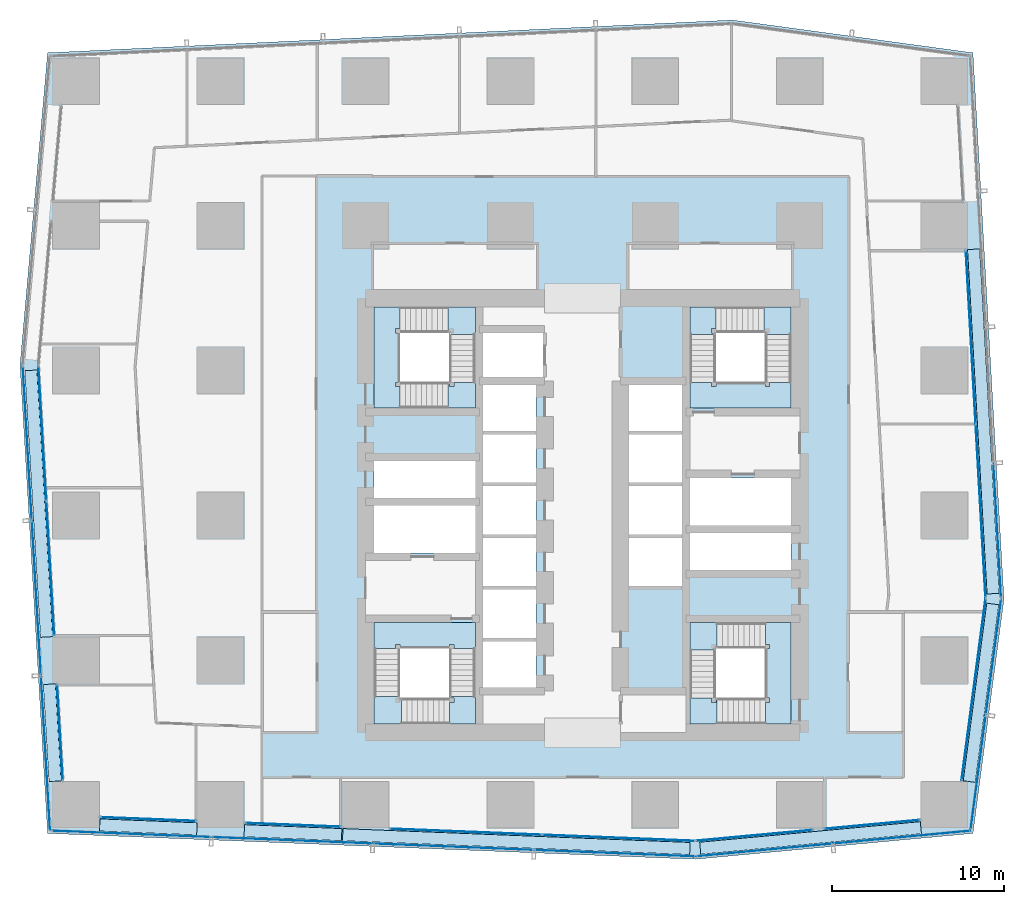
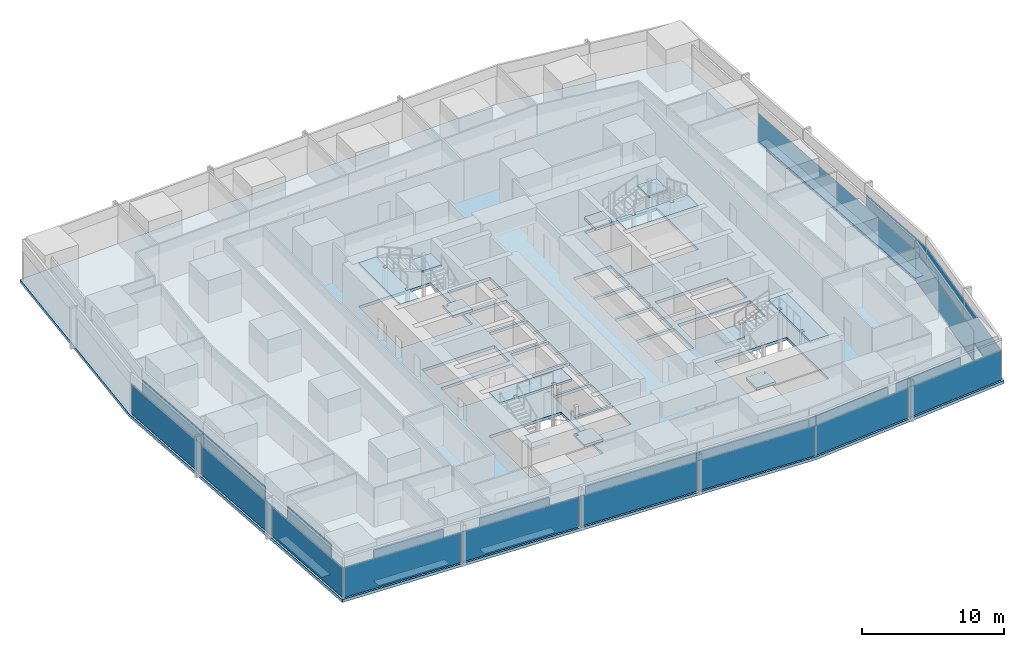
# One storey, part 23 of 36: 32 plates, 13 slabs, 18 elements without a shape of their own.
"""IFC4 building model written with IfcOpenShell, lengths in metres."""

import ifcopenshell
import ifcopenshell.guid

model = None  # the IFC model being written
_history = None  # IfcOwnerHistory: only IFC2X3 demands one
_inside = {}  # id of a spatial element -> (the spatial element, [elements in it])
_under = {}  # id of a project, library or spatial element -> (it, [spatial elements below it])
_declared = {}  # id of a project -> (the project, [libraries it declares])
_typed = {}  # id of a type object -> (the type object, [elements of that type])
_made_of = {}  # id of a material, layer set ... -> (it, [elements and type objects made of it])


def new_model(schema):
    """Start an empty IFC model of exactly this schema.

    Asked for "IFC4X3", IfcOpenShell would pick the latest addendum, in which some entities
    have other attributes; the version numbers below select the first issue.
    IFC2X3 requires an IfcOwnerHistory on every rooted entity: one is made here for all.
    """
    global model, _history
    if schema == "IFC4X3":
        model = ifcopenshell.file(schema_version=(4, 3, 0, 0))
    else:
        model = ifcopenshell.file(schema=schema)
    _inside.clear()
    _under.clear()
    _declared.clear()
    _typed.clear()
    _made_of.clear()
    _history = None
    if model.schema == "IFC2X3":
        org = make("IfcOrganization", Name="unknown")
        user = make(
            "IfcPersonAndOrganization",
            ThePerson=make("IfcPerson", FamilyName="unknown"),
            TheOrganization=org,
        )
        app = make(
            "IfcApplication",
            ApplicationDeveloper=org,
            Version="unknown",
            ApplicationFullName="unknown",
            ApplicationIdentifier="unknown",
        )
        _history = make(
            "IfcOwnerHistory",
            OwningUser=user,
            OwningApplication=app,
            ChangeAction="ADDED",
            CreationDate=0,
        )
    return model


def make(cls, **values):
    """One entity of the class cls with the attributes given. An attribute that is None is left unset."""
    return model.create_entity(
        cls, **{name: value for name, value in values.items() if value is not None}
    )


def rooted(cls, **values):
    """An entity with a GlobalId (a new one), such as an element, a storey or a relation."""
    return make(cls, GlobalId=ifcopenshell.guid.new(), OwnerHistory=_history, **values)


def si_unit(unit_type, name, prefix=None):
    """IfcSIUnit, for example si_unit("LENGTHUNIT", "METRE", prefix="MILLI")."""
    return make("IfcSIUnit", UnitType=unit_type, Prefix=prefix, Name=name)


def assignment(units):
    """IfcUnitAssignment: the units of a project."""
    return None if units is None else make("IfcUnitAssignment", Units=units)


def point(xyz):
    """IfcCartesianPoint."""
    return None if xyz is None else make("IfcCartesianPoint", Coordinates=xyz)


def direction(xyz):
    """IfcDirection."""
    return None if xyz is None else make("IfcDirection", DirectionRatios=xyz)


def frame(location, z_axis=None, x_axis=None):
    """IfcAxis2Placement3D, a coordinate frame: its origin and axes. An axis left out is left unset."""
    return make(
        "IfcAxis2Placement3D",
        Location=point(location),
        Axis=direction(z_axis),
        RefDirection=direction(x_axis),
    )


def frame_2d(location, x_axis=None):
    """IfcAxis2Placement2D, a coordinate frame in the plane: its origin and x axis."""
    return make(
        "IfcAxis2Placement2D", Location=point(location), RefDirection=direction(x_axis)
    )


def origin():
    """The frame at (0, 0, 0) with its axes left unset."""
    return frame((0.0, 0.0, 0.0))


def origin_2d():
    """The frame at (0, 0) in the plane with its x axis left unset."""
    return frame_2d((0.0, 0.0))


def place(relative_to, where):
    """IfcLocalPlacement: puts the frame where relative to a parent placement (None: the world)."""
    return make(
        "IfcLocalPlacement", PlacementRelTo=relative_to, RelativePlacement=where
    )


def context(
    kind, dimensions, precision=None, world=None, true_north=None, identifier=None
):
    """IfcGeometricRepresentationContext, for example the 3D "Model" context."""
    return make(
        "IfcGeometricRepresentationContext",
        ContextIdentifier=identifier,
        ContextType=kind,
        CoordinateSpaceDimension=dimensions,
        Precision=precision,
        WorldCoordinateSystem=world,
        TrueNorth=true_north,
    )


def subcontext(parent, identifier, kind, view, scale=None):
    """IfcGeometricRepresentationSubContext, for example "Body" below "Model"."""
    return make(
        "IfcGeometricRepresentationSubContext",
        ContextIdentifier=identifier,
        ContextType=kind,
        ParentContext=parent,
        TargetScale=scale,
        TargetView=view,
    )


def project(units=None, contexts=None):
    """IfcProject with its units and contexts."""
    return rooted(
        "IfcProject",
        Name="project",
        RepresentationContexts=contexts,
        UnitsInContext=assignment(units),
    )


def spatial(cls, under=None, at=None, **own):
    """A site, building, storey or space (cls), placed at a placement, below another one or the project."""
    s = rooted(cls, ObjectPlacement=at, **own)
    if under is not None:
        _under.setdefault(under.id(), (under, []))[1].append(s)
    return s


def polyline(points):
    """IfcPolyline through the points."""
    return make("IfcPolyline", Points=[point(p) for p in points])


def profile(cls, at=None, kind="AREA", **sizes):
    """A parametric profile (cls). Its sizes go by their IFC names, for example OverallWidth=200.0."""
    return make(cls, ProfileType=kind, Position=at, **sizes)


def rectangle(**sizes):
    """IfcRectangleProfileDef."""
    return profile("IfcRectangleProfileDef", **sizes)


def outline(outer, holes=None, kind="AREA"):
    """IfcArbitraryClosedProfileDef: a profile drawn as a closed curve; with holes, ...WithVoids."""
    if holes is None:
        return make("IfcArbitraryClosedProfileDef", ProfileType=kind, OuterCurve=outer)
    return make(
        "IfcArbitraryProfileDefWithVoids",
        ProfileType=kind,
        OuterCurve=outer,
        InnerCurves=holes,
    )


def extrude(swept, where, along, depth):
    """IfcExtrudedAreaSolid: the profile swept, set in the frame where, extruded along a direction by depth."""
    return make(
        "IfcExtrudedAreaSolid",
        SweptArea=swept,
        Position=where,
        ExtrudedDirection=direction(along),
        Depth=depth,
    )


def shape(context_of_items, identifier, shape_type, items):
    """IfcShapeRepresentation: the items that make up one representation, for example the "Body"."""
    return make(
        "IfcShapeRepresentation",
        ContextOfItems=context_of_items,
        RepresentationIdentifier=identifier,
        RepresentationType=shape_type,
        Items=items,
    )


def material(Name=None, Category=None):
    """IfcMaterial."""
    return make("IfcMaterial", Name=Name, Category=Category)


def layer(
    of_material, thickness, ventilated=None, Name=None, Category=None, Priority=None
):
    """IfcMaterialLayer: one layer of a wall or slab, of a material (None: an air gap)."""
    return make(
        "IfcMaterialLayer",
        Material=of_material,
        LayerThickness=thickness,
        IsVentilated=ventilated,
        Name=Name,
        Category=Category,
        Priority=Priority,
    )


def layer_set(layers, Name=None):
    """IfcMaterialLayerSet."""
    return make("IfcMaterialLayerSet", MaterialLayers=layers, LayerSetName=Name)


def made_of(thing, what):
    """Note that an element or type object is made of a material, layer set ...; save() writes the relation."""
    if what is not None:
        _made_of.setdefault(what.id(), (what, []))[1].append(thing)
    return thing


def type_object(cls, material=None, **own):
    """A type object (cls), such as IfcWallType, which elements share."""
    return made_of(rooted(cls, **own), material)


def element(
    cls,
    number,
    at=None,
    inside=None,
    cuts=None,
    type_object=None,
    material=None,
    context=None,
    identifier="Body",
    shape_type=None,
    held_by="IfcProductDefinitionShape",
    body=None,
    shapes=None,
    **own,
):
    """One element of the class cls, such as IfcWall. Its Tag is "e" and its number.

    at: its placement. inside: the storey or other place that contains it. cuts: it is an
    opening in that element (IfcRelVoidsElement). A single representation is given by context,
    identifier, shape_type and body (its items); several are given by shapes. held_by: the class
    of the entity that holds the representations. save() writes the other relations.
    """
    e = rooted(cls, Tag="e%d" % number, ObjectPlacement=at, **own)
    if body is not None:
        shapes = [shape(context, identifier, shape_type, body)]
    if shapes is not None:
        e.Representation = make(held_by, Representations=shapes)
    if inside is not None:
        _inside.setdefault(inside.id(), (inside, []))[1].append(e)
    if cuts is not None:
        rooted(
            "IfcRelVoidsElement", RelatingBuildingElement=cuts, RelatedOpeningElement=e
        )
    if type_object is not None:
        _typed.setdefault(type_object.id(), (type_object, []))[1].append(e)
    return made_of(e, material)


def aggregate(whole, parts):
    """IfcRelAggregates: a whole, such as a stair, and the parts it consists of."""
    return rooted("IfcRelAggregates", RelatingObject=whole, RelatedObjects=parts)


def save(model, path):
    """Write the relations noted so far, then the file.

    IfcRelAggregates (storeys below a building ...), IfcRelContainedInSpatialStructure (elements
    in a storey), IfcRelDefinesByType, IfcRelAssociatesMaterial and IfcRelDeclares: one each for
    every whole, place, type object, material and project.
    """
    for whole, parts in _under.values():
        aggregate(whole, parts)
    for where, things in _inside.values():
        rooted(
            "IfcRelContainedInSpatialStructure",
            RelatedElements=things,
            RelatingStructure=where,
        )
    for kind, things in _typed.values():
        rooted("IfcRelDefinesByType", RelatedObjects=things, RelatingType=kind)
    for what, things in _made_of.values():
        rooted("IfcRelAssociatesMaterial", RelatedObjects=things, RelatingMaterial=what)
    for by, libraries in _declared.values():
        rooted("IfcRelDeclares", RelatingContext=by, RelatedDefinitions=libraries)
    model.write(path)


model = new_model("IFC4")

# Units and contexts
model_context = context("Model", 3, precision=1e-05, world=origin(), true_north=direction((0.0, 1.0)))
body_context = subcontext(model_context, "Body", "Model", "MODEL_VIEW")
ifc_project = project(units=[si_unit("LENGTHUNIT", "METRE"), si_unit("AREAUNIT", "SQUARE_METRE"), si_unit("VOLUMEUNIT", "CUBIC_METRE"), si_unit("PLANEANGLEUNIT", "RADIAN"), si_unit("MASSUNIT", "GRAM", prefix="KILO")], contexts=[model_context])

# Site, building, storey
site_placement = place(None, origin())
site = spatial("IfcSite", under=ifc_project, at=site_placement, CompositionType="ELEMENT")
building_placement = place(site_placement, origin())
building = spatial("IfcBuilding", under=site, at=building_placement, Name="Rekha Terrace Tower", CompositionType="ELEMENT")
storey_placement = place(building_placement, frame((0.0, 0.0, 172.699951171875)))
storey = spatial("IfcBuildingStorey", under=building, at=storey_placement, Name="L43", CompositionType="ELEMENT", Elevation=172.699951171875)

# Curtain wall, plate
ifc_material_1 = material(Name="Aluminium framing", Category="aluminium")
curtain_wall_type_1 = type_object("IfcCurtainWallType", Name="CW1 double skin inner glazing", PredefinedType="USERDEFINED", material=ifc_material_1)
curtain_wall_1_placement = place(storey_placement, origin())
curtain_wall_1 = element("IfcCurtainWall", 1, at=curtain_wall_1_placement, inside=storey, type_object=curtain_wall_type_1, Name="CW1 double skin inner glazing", ObjectType="DOUBLE SKIN INNER GLAZING", PredefinedType="USERDEFINED")
ifc_material_2 = material(Name="Double-glazed low-e unit 32", Category="glass")
ifc_layer_1 = layer(ifc_material_2, 0.031982421875)
ifc_layer_set_1 = layer_set([ifc_layer_1], Name="Double-glazed low-e unit 32")
plate_type_1 = type_object("IfcPlateType", Name="CW1 jumbo vision panel, double-glazed low-e unit 32", PredefinedType="CURTAIN_PANEL", material=ifc_layer_set_1)
plate_1_placement = place(storey_placement, frame((12.60009765625, 15.977294921875, 0.0), z_axis=(0.0, 0.0, 1.0), x_axis=(0.999204775798, -0.039872497078, 0.0)))
plate_1 = element("IfcPlate", 2, at=plate_1_placement, type_object=plate_type_1, Name="CW1 panel 1.1", PredefinedType="CURTAIN_PANEL", context=body_context, shape_type="SweptSolid", body=[
    extrude(rectangle(XDim=5.52685546875, YDim=0.031982421875, at=origin_2d()), origin(), (0.0, 0.0, 1.0), 2.60009765625),
])
aggregate(curtain_wall_1, [plate_1])

curtain_wall_2_placement = place(storey_placement, origin())
curtain_wall_2 = element("IfcCurtainWall", 3, at=curtain_wall_2_placement, inside=storey, type_object=curtain_wall_type_1, Name="CW1 double skin inner glazing", ObjectType="DOUBLE SKIN INNER GLAZING", PredefinedType="USERDEFINED")
plate_2_placement = place(storey_placement, frame((21.0, 15.64208984375, 0.0), z_axis=(0.0, 0.0, 1.0), x_axis=(0.999204775798, -0.039872497078, 0.0)))
plate_2 = element("IfcPlate", 4, at=plate_2_placement, type_object=plate_type_1, Name="CW1 panel 1.1", PredefinedType="CURTAIN_PANEL", context=body_context, shape_type="SweptSolid", body=[
    extrude(rectangle(XDim=5.52685546875, YDim=0.031982421875, at=origin_2d()), origin(), (0.0, 0.0, 1.0), 2.60009765625),
])
aggregate(curtain_wall_2, [plate_2])

# Curtain wall, plates
curtain_wall_3_placement = place(storey_placement, origin())
curtain_wall_3 = element("IfcCurtainWall", 5, at=curtain_wall_3_placement, inside=storey, type_object=curtain_wall_type_1, Name="CW1 double skin inner glazing", ObjectType="DOUBLE SKIN INNER GLAZING", PredefinedType="USERDEFINED")
plate_3_placement = place(storey_placement, frame((31.020751953125, 15.242431640625, 0.0), z_axis=(0.0, 0.0, 1.0), x_axis=(0.999204775798, -0.039872497078, 0.0)))
plate_3 = element("IfcPlate", 6, at=plate_3_placement, type_object=plate_type_1, Name="CW1 panel 1.1", PredefinedType="CURTAIN_PANEL", context=body_context, shape_type="SweptSolid", body=[
    extrude(rectangle(XDim=8.781005859375, YDim=0.031982421875, at=origin_2d()), origin(), (0.0, 0.0, 1.0), 2.60009765625),
])
plate_4_placement = place(storey_placement, frame((39.892333984375, 14.888427734375, 0.0), z_axis=(0.0, 0.0, 1.0), x_axis=(0.999204775798, -0.039872497078, 0.0)))
plate_4 = element("IfcPlate", 7, at=plate_4_placement, type_object=plate_type_1, Name="CW1 panel 2.1", PredefinedType="CURTAIN_PANEL", context=body_context, shape_type="SweptSolid", body=[
    extrude(rectangle(XDim=8.84619140625, YDim=0.031982421875, at=origin_2d()), origin(), (0.0, 0.0, 1.0), 2.60009765625),
])
aggregate(curtain_wall_3, [plate_3, plate_4])

# Curtain wall, plate
curtain_wall_4_placement = place(storey_placement, origin())
curtain_wall_4 = element("IfcCurtainWall", 8, at=curtain_wall_4_placement, inside=storey, type_object=curtain_wall_type_1, Name="CW1 double skin inner glazing", ObjectType="DOUBLE SKIN INNER GLAZING", PredefinedType="USERDEFINED")
plate_5_placement = place(storey_placement, frame((47.75732421875, 15.03271484375, 0.0), z_axis=(0.0, 0.0, 1.0), x_axis=(0.995693258739, 0.092708869598, 0.0)))
plate_5 = element("IfcPlate", 9, at=plate_5_placement, type_object=plate_type_1, Name="CW1 panel 1.1", PredefinedType="CURTAIN_PANEL", context=body_context, shape_type="SweptSolid", body=[
    extrude(rectangle(XDim=6.79052734375, YDim=0.031982421875, at=origin_2d()), origin(), (0.0, 0.0, 1.0), 2.60009765625),
])
aggregate(curtain_wall_4, [plate_5])

curtain_wall_5_placement = place(storey_placement, origin())
curtain_wall_5 = element("IfcCurtainWall", 10, at=curtain_wall_5_placement, inside=storey, type_object=curtain_wall_type_1, Name="CW1 double skin inner glazing", ObjectType="DOUBLE SKIN INNER GLAZING", PredefinedType="USERDEFINED")
plate_6_placement = place(storey_placement, frame((54.60009765625, 15.669921875, 0.0), z_axis=(0.0, 0.0, 1.0), x_axis=(0.995693258747, 0.092708869512, 0.0)))
plate_6 = element("IfcPlate", 11, at=plate_6_placement, type_object=plate_type_1, Name="CW1 panel 1.1", PredefinedType="CURTAIN_PANEL", context=body_context, shape_type="SweptSolid", body=[
    extrude(rectangle(XDim=5.536865234375, YDim=0.031982421875, at=origin_2d()), origin(), (0.0, 0.0, 1.0), 2.60009765625),
])
aggregate(curtain_wall_5, [plate_6])

curtain_wall_6_placement = place(storey_placement, origin())
curtain_wall_6 = element("IfcCurtainWall", 12, at=curtain_wall_6_placement, inside=storey, type_object=curtain_wall_type_1, Name="CW1 double skin inner glazing", ObjectType="DOUBLE SKIN INNER GLAZING", PredefinedType="USERDEFINED")
plate_7_placement = place(storey_placement, frame((60.488525390625, 23.513427734375, 0.0), z_axis=(0.0, 0.0, 1.0), x_axis=(0.131303603006, 0.991342203196, 0.0)))
plate_7 = element("IfcPlate", 13, at=plate_7_placement, type_object=plate_type_1, Name="CW1 panel 1.1", PredefinedType="CURTAIN_PANEL", context=body_context, shape_type="SweptSolid", body=[
    extrude(rectangle(XDim=10.625244140625, YDim=0.031982421875, at=origin_2d()), origin(), (0.0, 0.0, 1.0), 2.60009765625),
])
aggregate(curtain_wall_6, [plate_7])

# Curtain wall, plates
curtain_wall_7_placement = place(storey_placement, origin())
curtain_wall_7 = element("IfcCurtainWall", 14, at=curtain_wall_7_placement, inside=storey, type_object=curtain_wall_type_1, Name="CW1 double skin inner glazing", ObjectType="DOUBLE SKIN INNER GLAZING", PredefinedType="USERDEFINED")
plate_8_placement = place(storey_placement, frame((60.897705078125, 33.857421875, 0.0), z_axis=(0.0, 0.0, 1.0), x_axis=(-0.056673194877, 0.998392782918, 0.0)))
plate_8 = element("IfcPlate", 15, at=plate_8_placement, type_object=plate_type_1, Name="CW1 panel 1.1", PredefinedType="CURTAIN_PANEL", context=body_context, shape_type="SweptSolid", body=[
    extrude(rectangle(XDim=10.041259765625, YDim=0.031982421875, at=origin_2d()), origin(), (0.0, 0.0, 1.0), 2.60009765625),
])
plate_9_placement = place(storey_placement, frame((60.324951171875, 43.947265625, 0.0), z_axis=(0.0, 0.0, 1.0), x_axis=(-0.056673194877, 0.998392782918, 0.0)))
plate_9 = element("IfcPlate", 16, at=plate_9_placement, type_object=plate_type_1, Name="CW1 panel 2.1", PredefinedType="CURTAIN_PANEL", context=body_context, shape_type="SweptSolid", body=[
    extrude(rectangle(XDim=10.041259765625, YDim=0.031982421875, at=origin_2d()), origin(), (0.0, 0.0, 1.0), 2.60009765625),
])
aggregate(curtain_wall_7, [plate_8, plate_9])

curtain_wall_8_placement = place(storey_placement, origin())
curtain_wall_8 = element("IfcCurtainWall", 17, at=curtain_wall_8_placement, inside=storey, type_object=curtain_wall_type_1, Name="CW1 double skin inner glazing", ObjectType="DOUBLE SKIN INNER GLAZING", PredefinedType="USERDEFINED")
plate_10_placement = place(storey_placement, frame((6.4453125, 38.363525390625, 0.0), z_axis=(0.0, 0.0, 1.0), x_axis=(0.058765082569, -0.998271839266, 0.0)))
plate_10 = element("IfcPlate", 18, at=plate_10_placement, type_object=plate_type_1, Name="CW1 panel 1.1", PredefinedType="CURTAIN_PANEL", context=body_context, shape_type="SweptSolid", body=[
    extrude(rectangle(XDim=7.78564453125, YDim=0.031982421875, at=origin_2d()), origin(), (0.0, 0.0, 1.0), 2.60009765625),
])
plate_11_placement = place(storey_placement, frame((6.90673828125, 30.5263671875, 0.0), z_axis=(0.0, 0.0, 1.0), x_axis=(0.058765082569, -0.998271839266, 0.0)))
plate_11 = element("IfcPlate", 19, at=plate_11_placement, type_object=plate_type_1, Name="CW1 panel 2.1", PredefinedType="CURTAIN_PANEL", context=body_context, shape_type="SweptSolid", body=[
    extrude(rectangle(XDim=7.78564453125, YDim=0.031982421875, at=origin_2d()), origin(), (0.0, 0.0, 1.0), 2.60009765625),
])
aggregate(curtain_wall_8, [plate_10, plate_11])

# Curtain wall, plate
curtain_wall_9_placement = place(storey_placement, origin())
curtain_wall_9 = element("IfcCurtainWall", 20, at=curtain_wall_9_placement, inside=storey, type_object=curtain_wall_type_1, Name="CW1 double skin inner glazing", ObjectType="DOUBLE SKIN INNER GLAZING", PredefinedType="USERDEFINED")
plate_12_placement = place(storey_placement, frame((7.467529296875, 21.0, 0.0), z_axis=(0.0, 0.0, 1.0), x_axis=(0.058765082516, -0.998271839269, 0.0)))
plate_12 = element("IfcPlate", 21, at=plate_12_placement, type_object=plate_type_1, Name="CW1 panel 1.1", PredefinedType="CURTAIN_PANEL", context=body_context, shape_type="SweptSolid", body=[
    extrude(rectangle(XDim=5.528564453125, YDim=0.031982421875, at=origin_2d()), origin(), (0.0, 0.0, 1.0), 2.60009765625),
])
aggregate(curtain_wall_9, [plate_12])

# Curtain wall, plates
curtain_wall_type_2 = type_object("IfcCurtainWallType", Name="CW2 double skin outer glazing", PredefinedType="USERDEFINED", material=ifc_material_1)
curtain_wall_10_placement = place(storey_placement, origin())
curtain_wall_10 = element("IfcCurtainWall", 22, at=curtain_wall_10_placement, inside=storey, type_object=curtain_wall_type_2, Name="CW2 double skin outer glazing", ObjectType="DOUBLE SKIN OUTER GLAZING", PredefinedType="USERDEFINED")
ifc_material_3 = material(Name="Toughened single glazing 12", Category="glass")
ifc_layer_2 = layer(ifc_material_3, 0.011962890625)
ifc_layer_set_2 = layer_set([ifc_layer_2], Name="Toughened single glazing 12")
plate_type_2 = type_object("IfcPlateType", Name="CW2 jumbo vision panel, toughened single glazing 12", PredefinedType="CURTAIN_PANEL", material=ifc_layer_set_2)
plate_13_placement = place(storey_placement, frame((11.6005859375, 15.116455078125, 0.0), z_axis=(0.0, 0.0, 1.0), x_axis=(0.999204775799, -0.039872497044, 0.0)))
plate_13 = element("IfcPlate", 23, at=plate_13_placement, type_object=plate_type_2, Name="CW2 panel 1.1", PredefinedType="CURTAIN_PANEL", context=body_context, shape_type="SweptSolid", body=[
    extrude(rectangle(XDim=9.24609375, YDim=0.011962890625, at=origin_2d()), origin(), (0.0, 0.0, 1.0), 2.60009765625),
])
plate_14_placement = place(storey_placement, frame((20.939208984375, 14.743896484375, 0.0), z_axis=(0.0, 0.0, 1.0), x_axis=(0.999204775799, -0.039872497044, 0.0)))
plate_14 = element("IfcPlate", 24, at=plate_14_placement, type_object=plate_type_2, Name="CW2 panel 2.1", PredefinedType="CURTAIN_PANEL", context=body_context, shape_type="SweptSolid", body=[
    extrude(rectangle(XDim=9.2861328125, YDim=0.011962890625, at=origin_2d()), origin(), (0.0, 0.0, 1.0), 2.60009765625),
])
plate_15_placement = place(storey_placement, frame((30.2978515625, 14.370361328125, 0.0), z_axis=(0.0, 0.0, 1.0), x_axis=(0.999204775799, -0.039872497044, 0.0)))
plate_15 = element("IfcPlate", 25, at=plate_15_placement, type_object=plate_type_2, Name="CW2 panel 3.1", PredefinedType="CURTAIN_PANEL", context=body_context, shape_type="SweptSolid", body=[
    extrude(rectangle(XDim=9.2861328125, YDim=0.011962890625, at=origin_2d()), origin(), (0.0, 0.0, 1.0), 2.60009765625),
])
plate_16_placement = place(storey_placement, frame((39.676513671875, 13.996337890625, 0.0), z_axis=(0.0, 0.0, 1.0), x_axis=(0.999204775799, -0.039872497044, 0.0)))
plate_16 = element("IfcPlate", 26, at=plate_16_placement, type_object=plate_type_2, Name="CW2 panel 4.1", PredefinedType="CURTAIN_PANEL", context=body_context, shape_type="SweptSolid", body=[
    extrude(rectangle(XDim=9.326171875, YDim=0.011962890625, at=origin_2d()), origin(), (0.0, 0.0, 1.0), 2.60009765625),
])
aggregate(curtain_wall_10, [plate_13, plate_14, plate_15, plate_16])

curtain_wall_11_placement = place(storey_placement, origin())
curtain_wall_11 = element("IfcCurtainWall", 27, at=curtain_wall_11_placement, inside=storey, type_object=curtain_wall_type_2, Name="CW2 double skin outer glazing", ObjectType="DOUBLE SKIN OUTER GLAZING", PredefinedType="USERDEFINED")
plate_17_placement = place(storey_placement, frame((48.348876953125, 14.183837890625, 0.0), z_axis=(0.0, 0.0, 1.0), x_axis=(0.995693258747, 0.092708869512, 0.0)))
plate_17 = element("IfcPlate", 28, at=plate_17_placement, type_object=plate_type_2, Name="CW2 panel 1.1", PredefinedType="CURTAIN_PANEL", context=body_context, shape_type="SweptSolid", body=[
    extrude(rectangle(XDim=7.900634765625, YDim=0.011962890625, at=origin_2d()), origin(), (0.0, 0.0, 1.0), 2.60009765625),
])
plate_18_placement = place(storey_placement, frame((56.3349609375, 14.927490234375, 0.0), z_axis=(0.0, 0.0, 1.0), x_axis=(0.995693258747, 0.092708869512, 0.0)))
plate_18 = element("IfcPlate", 29, at=plate_18_placement, type_object=plate_type_2, Name="CW2 panel 2.1", PredefinedType="CURTAIN_PANEL", context=body_context, shape_type="SweptSolid", body=[
    extrude(rectangle(XDim=7.980712890625, YDim=0.011962890625, at=origin_2d()), origin(), (0.0, 0.0, 1.0), 2.60009765625),
])
aggregate(curtain_wall_11, [plate_17, plate_18])

curtain_wall_12_placement = place(storey_placement, origin())
curtain_wall_12 = element("IfcCurtainWall", 30, at=curtain_wall_12_placement, inside=storey, type_object=curtain_wall_type_2, Name="CW2 double skin outer glazing", ObjectType="DOUBLE SKIN OUTER GLAZING", PredefinedType="USERDEFINED")
plate_19_placement = place(storey_placement, frame((60.756103515625, 18.679443359375, 0.0), z_axis=(0.0, 0.0, 1.0), x_axis=(0.131303603075, 0.991342203187, 0.0)))
plate_19 = element("IfcPlate", 31, at=plate_19_placement, type_object=plate_type_2, Name="CW2 panel 1.1", PredefinedType="CURTAIN_PANEL", context=body_context, shape_type="SweptSolid", body=[
    extrude(rectangle(XDim=6.6630859375, YDim=0.011962890625, at=origin_2d()), origin(), (0.0, 0.0, 1.0), 2.60009765625),
])
plate_20_placement = place(storey_placement, frame((61.646728515625, 25.40380859375, 0.0), z_axis=(0.0, 0.0, 1.0), x_axis=(0.131303603075, 0.991342203187, 0.0)))
plate_20 = element("IfcPlate", 32, at=plate_20_placement, type_object=plate_type_2, Name="CW2 panel 2.1", PredefinedType="CURTAIN_PANEL", context=body_context, shape_type="SweptSolid", body=[
    extrude(rectangle(XDim=6.742919921875, YDim=0.011962890625, at=origin_2d()), origin(), (0.0, 0.0, 1.0), 2.60009765625),
])
aggregate(curtain_wall_12, [plate_19, plate_20])

# Curtain wall, plate
curtain_wall_13_placement = place(storey_placement, origin())
curtain_wall_13 = element("IfcCurtainWall", 33, at=curtain_wall_13_placement, inside=storey, type_object=curtain_wall_type_2, Name="CW2 double skin outer glazing", ObjectType="DOUBLE SKIN OUTER GLAZING", PredefinedType="USERDEFINED")
plate_21_placement = place(storey_placement, frame((61.8642578125, 32.71142578125, 0.0), z_axis=(0.0, 0.0, 1.0), x_axis=(-0.05667319486, 0.998392782919, 0.0)))
plate_21 = element("IfcPlate", 34, at=plate_21_placement, type_object=plate_type_2, Name="CW2 panel 1.1", PredefinedType="CURTAIN_PANEL", context=body_context, shape_type="SweptSolid", body=[
    extrude(rectangle(XDim=7.783447265625, YDim=0.011962890625, at=origin_2d()), origin(), (0.0, 0.0, 1.0), 2.60009765625),
])
aggregate(curtain_wall_13, [plate_21])

# Curtain wall, plates
curtain_wall_14_placement = place(storey_placement, origin())
curtain_wall_14 = element("IfcCurtainWall", 35, at=curtain_wall_14_placement, inside=storey, type_object=curtain_wall_type_2, Name="CW2 double skin outer glazing", ObjectType="DOUBLE SKIN OUTER GLAZING", PredefinedType="USERDEFINED")
plate_22_placement = place(storey_placement, frame((5.57666015625, 37.8037109375, 0.0), z_axis=(0.0, 0.0, 1.0), x_axis=(0.058765082499, -0.99827183927, 0.0)))
plate_22 = element("IfcPlate", 36, at=plate_22_placement, type_object=plate_type_2, Name="CW2 panel 1.1", PredefinedType="CURTAIN_PANEL", context=body_context, shape_type="SweptSolid", body=[
    extrude(rectangle(XDim=8.903564453125, YDim=0.011962890625, at=origin_2d()), origin(), (0.0, 0.0, 1.0), 2.60009765625),
])
plate_23_placement = place(storey_placement, frame((6.105712890625, 28.81591796875, 0.0), z_axis=(0.0, 0.0, 1.0), x_axis=(0.058765082499, -0.99827183927, 0.0)))
plate_23 = element("IfcPlate", 37, at=plate_23_placement, type_object=plate_type_2, Name="CW2 panel 2.1", PredefinedType="CURTAIN_PANEL", context=body_context, shape_type="SweptSolid", body=[
    extrude(rectangle(XDim=8.943359375, YDim=0.011962890625, at=origin_2d()), origin(), (0.0, 0.0, 1.0), 2.60009765625),
])
plate_24_placement = place(storey_placement, frame((6.63720703125, 19.7880859375, 0.0), z_axis=(0.0, 0.0, 1.0), x_axis=(0.058765082499, -0.99827183927, 0.0)))
plate_24 = element("IfcPlate", 38, at=plate_24_placement, type_object=plate_type_2, Name="CW2 panel 3.1", PredefinedType="CURTAIN_PANEL", context=body_context, shape_type="SweptSolid", body=[
    extrude(rectangle(XDim=8.9833984375, YDim=0.011962890625, at=origin_2d()), origin(), (0.0, 0.0, 1.0), 2.60009765625),
])
aggregate(curtain_wall_14, [plate_22, plate_23, plate_24])

# Plates
ifc_material_4 = material(Name="Galvanised steel open grating", Category="steel")
ifc_layer_3 = layer(ifc_material_4, 0.050048828125)
ifc_layer_set_3 = layer_set([ifc_layer_3], Name="Galvanised steel open grating")
plate_type_3 = type_object("IfcPlateType", Name="GT1 cavity walkway grating 50", PredefinedType="USERDEFINED", material=ifc_layer_set_3)
plate_25_placement = place(storey_placement, frame((12.596435546875, 15.527099609375, 0.0), z_axis=(0.0, 0.0, 1.0), x_axis=(0.999204775799, -0.039872497044, 0.0)))
element("IfcPlate", 39, at=plate_25_placement, inside=storey, type_object=plate_type_3, Name="Cavity walkway grating", ObjectType="CAVITY WALKWAY GRATING", PredefinedType="USERDEFINED", context=body_context, shape_type="SweptSolid", body=[
    extrude(rectangle(XDim=5.64208984375, YDim=0.705078125, at=origin_2d()), origin(), (0.0, 0.0, 1.0), 0.050048828125),
])
plate_26_placement = place(storey_placement, frame((20.98974609375, 15.1923828125, 0.0), z_axis=(0.0, 0.0, 1.0), x_axis=(0.999204775799, -0.039872497044, 0.0)))
element("IfcPlate", 40, at=plate_26_placement, inside=storey, type_object=plate_type_3, Name="Cavity walkway grating", ObjectType="CAVITY WALKWAY GRATING", PredefinedType="USERDEFINED", context=body_context, shape_type="SweptSolid", body=[
    extrude(rectangle(XDim=5.655517578125, YDim=0.705078125, at=origin_2d()), origin(), (0.0, 0.0, 1.0), 0.050048828125),
])
plate_27_placement = place(storey_placement, frame((33.951171875, 14.675048828125, 0.0), z_axis=(0.0, 0.0, 1.0), x_axis=(0.999204775799, -0.039872497044, 0.0)))
element("IfcPlate", 41, at=plate_27_placement, inside=storey, type_object=plate_type_3, Name="Cavity walkway grating", ObjectType="CAVITY WALKWAY GRATING", PredefinedType="USERDEFINED", context=body_context, shape_type="SweptSolid", body=[
    extrude(rectangle(XDim=20.161865234375, YDim=0.705078125, at=origin_2d()), origin(), (0.0, 0.0, 1.0), 0.050048828125),
])
plate_28_placement = place(storey_placement, frame((51.024658203125, 14.885009765625, 0.0), z_axis=(0.0, 0.0, 1.0), x_axis=(0.995693258745, 0.092708869529, 0.0)))
element("IfcPlate", 42, at=plate_28_placement, inside=storey, type_object=plate_type_3, Name="Cavity walkway grating", ObjectType="CAVITY WALKWAY GRATING", PredefinedType="USERDEFINED", context=body_context, shape_type="SweptSolid", body=[
    extrude(rectangle(XDim=12.85986328125, YDim=0.705078125, at=origin_2d()), origin(), (0.0, 0.0, 1.0), 0.050048828125),
])
plate_29_placement = place(storey_placement, frame((60.915771484375, 23.312255859375, 0.0), z_axis=(0.0, 0.0, 1.0), x_axis=(0.131303603075, 0.991342203187, 0.0)))
element("IfcPlate", 43, at=plate_29_placement, inside=storey, type_object=plate_type_3, Name="Cavity walkway grating", ObjectType="CAVITY WALKWAY GRATING", PredefinedType="USERDEFINED", context=body_context, shape_type="SweptSolid", body=[
    extrude(rectangle(XDim=10.396484375, YDim=0.705078125, at=origin_2d()), origin(), (0.0, 0.0, 1.0), 0.050048828125),
])
plate_30_placement = place(storey_placement, frame((61.053466796875, 39.0556640625, 0.0), z_axis=(0.0, 0.0, 1.0), x_axis=(-0.05667319486, 0.998392782919, 0.0)))
element("IfcPlate", 44, at=plate_30_placement, inside=storey, type_object=plate_type_3, Name="Cavity walkway grating", ObjectType="CAVITY WALKWAY GRATING", PredefinedType="USERDEFINED", context=body_context, shape_type="SweptSolid", body=[
    extrude(rectangle(XDim=20.018798828125, YDim=0.705078125, at=origin_2d()), origin(), (0.0, 0.0, 1.0), 0.050048828125),
])
plate_31_placement = place(storey_placement, frame((6.234619140625, 34.28515625, 0.0), z_axis=(0.0, 0.0, 1.0), x_axis=(0.058765082516, -0.998271839269, 0.0)))
element("IfcPlate", 45, at=plate_31_placement, inside=storey, type_object=plate_type_3, Name="Cavity walkway grating", ObjectType="CAVITY WALKWAY GRATING", PredefinedType="USERDEFINED", context=body_context, shape_type="SweptSolid", body=[
    extrude(rectangle(XDim=15.49951171875, YDim=0.705078125, at=origin_2d()), origin(), (0.0, 0.0, 1.0), 0.050048828125),
])
plate_32_placement = place(storey_placement, frame((7.01708984375, 20.992919921875, 0.0), z_axis=(0.0, 0.0, 1.0), x_axis=(0.058765082516, -0.998271839269, 0.0)))
element("IfcPlate", 46, at=plate_32_placement, inside=storey, type_object=plate_type_3, Name="Cavity walkway grating", ObjectType="CAVITY WALKWAY GRATING", PredefinedType="USERDEFINED", context=body_context, shape_type="SweptSolid", body=[
    extrude(rectangle(XDim=5.64013671875, YDim=0.705078125, at=origin_2d()), origin(), (0.0, 0.0, 1.0), 0.050048828125),
])

# Stair, slabs
ifc_material_5 = material(Name="Concrete M40", Category="concrete")
stair_type = type_object("IfcStairType", Name="ST30 stair, 30 risers of 125, going 310, 1500 wide flights, 3 flights", PredefinedType="HALF_TURN_STAIR", material=ifc_material_5)
stair_1_placement = place(storey_placement, origin())
stair_1 = element("IfcStair", 47, at=stair_1_placement, inside=storey, type_object=stair_type, Name="Stair ST1 L43 to L44", PredefinedType="HALF_TURN_STAIR")
ifc_layer_4 = layer(ifc_material_5, 0.199951171875)
ifc_layer_set_4 = layer_set([ifc_layer_4], Name="Concrete M40")
slab_type_1 = type_object("IfcSlabType", Name="LD1 200 concrete stair landing", PredefinedType="LANDING", material=ifc_layer_set_4)
slab_1_placement = place(storey_placement, frame((0.0, 0.0, 1.050048828125)))
slab_1 = element("IfcSlab", 48, at=slab_1_placement, type_object=slab_type_1, Name="ST1 landing 1", PredefinedType="LANDING", context=body_context, shape_type="SweptSolid", body=[
    extrude(outline(polyline([(30.074951171875, 21.5), (31.574951171875, 21.5), (31.574951171875, 23.0849609375), (30.074951171875, 23.0849609375), (30.074951171875, 23.0), (30.324951171875, 23.0), (30.324951171875, 22.75), (30.074951171875, 22.75), (30.074951171875, 21.5)])), origin(), (0.0, 0.0, 1.0), 0.199951171875),
])
slab_2_placement = place(storey_placement, frame((0.0, 0.0, 2.300048828125)))
slab_2 = element("IfcSlab", 49, at=slab_2_placement, type_object=slab_type_1, Name="ST1 landing 2", PredefinedType="LANDING", context=body_context, shape_type="SweptSolid", body=[
    extrude(outline(polyline([(27.199951171875, 23.0849609375), (25.699951171875, 23.0849609375), (25.699951171875, 21.5), (27.284912109375, 21.5), (27.284912109375, 23.0), (27.199951171875, 23.0), (27.199951171875, 23.0849609375)])), origin(), (0.0, 0.0, 1.0), 0.199951171875),
])
slab_3_placement = place(storey_placement, frame((0.0, 0.0, 3.550048828125)))
slab_3 = element("IfcSlab", 50, at=slab_3_placement, type_object=slab_type_1, Name="ST1 landing 3", PredefinedType="LANDING", context=body_context, shape_type="SweptSolid", body=[
    extrude(outline(polyline([(31.574951171875, 25.875), (31.574951171875, 27.375), (25.699951171875, 27.375), (25.699951171875, 25.875), (26.949951171875, 25.875), (26.949951171875, 26.125), (27.199951171875, 26.125), (27.199951171875, 25.875), (30.074951171875, 25.875), (30.074951171875, 26.125), (30.324951171875, 26.125), (30.324951171875, 25.875), (31.574951171875, 25.875)])), origin(), (0.0, 0.0, 1.0), 0.199951171875),
])
aggregate(stair_1, [slab_1, slab_2, slab_3])

stair_2_placement = place(storey_placement, origin())
stair_2 = element("IfcStair", 51, at=stair_2_placement, inside=storey, type_object=stair_type, Name="Stair ST2 L43 to L44", PredefinedType="HALF_TURN_STAIR")
slab_4_placement = place(storey_placement, frame((0.0, 0.0, 1.050048828125)))
slab_4 = element("IfcSlab", 52, at=slab_4_placement, type_object=slab_type_1, Name="ST2 landing 1", PredefinedType="LANDING", context=body_context, shape_type="SweptSolid", body=[
    extrude(outline(polyline([(45.52490234375, 45.699951171875), (44.02490234375, 45.699951171875), (44.02490234375, 44.114990234375), (45.52490234375, 44.114990234375), (45.52490234375, 44.199951171875), (45.27490234375, 44.199951171875), (45.27490234375, 44.449951171875), (45.52490234375, 44.449951171875), (45.52490234375, 45.699951171875)])), origin(), (0.0, 0.0, 1.0), 0.199951171875),
])
slab_5_placement = place(storey_placement, frame((0.0, 0.0, 2.300048828125)))
slab_5 = element("IfcSlab", 53, at=slab_5_placement, type_object=slab_type_1, Name="ST2 landing 2", PredefinedType="LANDING", context=body_context, shape_type="SweptSolid", body=[
    extrude(outline(polyline([(48.39990234375, 44.114990234375), (49.89990234375, 44.114990234375), (49.89990234375, 45.699951171875), (48.31494140625, 45.699951171875), (48.31494140625, 44.199951171875), (48.39990234375, 44.199951171875), (48.39990234375, 44.114990234375)])), origin(), (0.0, 0.0, 1.0), 0.199951171875),
])
slab_6_placement = place(storey_placement, frame((0.0, 0.0, 3.550048828125)))
slab_6 = element("IfcSlab", 54, at=slab_6_placement, type_object=slab_type_1, Name="ST2 landing 3", PredefinedType="LANDING", context=body_context, shape_type="SweptSolid", body=[
    extrude(outline(polyline([(44.02490234375, 41.324951171875), (44.02490234375, 39.824951171875), (49.89990234375, 39.824951171875), (49.89990234375, 41.324951171875), (48.64990234375, 41.324951171875), (48.64990234375, 41.074951171875), (48.39990234375, 41.074951171875), (48.39990234375, 41.324951171875), (45.52490234375, 41.324951171875), (45.52490234375, 41.074951171875), (45.27490234375, 41.074951171875), (45.27490234375, 41.324951171875), (44.02490234375, 41.324951171875)])), origin(), (0.0, 0.0, 1.0), 0.199951171875),
])
aggregate(stair_2, [slab_4, slab_5, slab_6])

stair_3_placement = place(storey_placement, origin())
stair_3 = element("IfcStair", 55, at=stair_3_placement, inside=storey, type_object=stair_type, Name="Stair ST3 L43 to L44", PredefinedType="HALF_TURN_STAIR")
slab_7_placement = place(storey_placement, frame((0.0, 0.0, 1.050048828125)))
slab_7 = element("IfcSlab", 56, at=slab_7_placement, type_object=slab_type_1, Name="ST3 landing 1", PredefinedType="LANDING", context=body_context, shape_type="SweptSolid", body=[
    extrude(outline(polyline([(44.02490234375, 23.0), (44.02490234375, 21.5), (45.610107421875, 21.5), (45.610107421875, 23.0), (45.52490234375, 23.0), (45.52490234375, 22.75), (45.27490234375, 22.75), (45.27490234375, 23.0), (44.02490234375, 23.0)])), origin(), (0.0, 0.0, 1.0), 0.199951171875),
])
slab_8_placement = place(storey_placement, frame((0.0, 0.0, 2.300048828125)))
slab_8 = element("IfcSlab", 57, at=slab_8_placement, type_object=slab_type_1, Name="ST3 landing 2", PredefinedType="LANDING", context=body_context, shape_type="SweptSolid", body=[
    extrude(outline(polyline([(45.610107421875, 25.875), (45.610107421875, 27.375), (44.02490234375, 27.375), (44.02490234375, 25.7900390625), (45.52490234375, 25.7900390625), (45.52490234375, 25.875), (45.610107421875, 25.875)])), origin(), (0.0, 0.0, 1.0), 0.199951171875),
])
slab_9_placement = place(storey_placement, frame((0.0, 0.0, 3.550048828125)))
slab_9 = element("IfcSlab", 58, at=slab_9_placement, type_object=slab_type_1, Name="ST3 landing 3", PredefinedType="LANDING", context=body_context, shape_type="SweptSolid", body=[
    extrude(outline(polyline([(48.39990234375, 21.5), (49.89990234375, 21.5), (49.89990234375, 27.375), (48.39990234375, 27.375), (48.39990234375, 26.125), (48.64990234375, 26.125), (48.64990234375, 25.875), (48.39990234375, 25.875), (48.39990234375, 23.0), (48.64990234375, 23.0), (48.64990234375, 22.75), (48.39990234375, 22.75), (48.39990234375, 21.5)])), origin(), (0.0, 0.0, 1.0), 0.199951171875),
])
aggregate(stair_3, [slab_7, slab_8, slab_9])

stair_4_placement = place(storey_placement, origin())
stair_4 = element("IfcStair", 59, at=stair_4_placement, inside=storey, type_object=stair_type, Name="Stair ST4 L43 to L44", PredefinedType="HALF_TURN_STAIR")
slab_10_placement = place(storey_placement, frame((0.0, 0.0, 1.050048828125)))
slab_10 = element("IfcSlab", 60, at=slab_10_placement, type_object=slab_type_1, Name="ST4 landing 1", PredefinedType="LANDING", context=body_context, shape_type="SweptSolid", body=[
    extrude(outline(polyline([(31.574951171875, 41.324951171875), (31.574951171875, 39.824951171875), (29.989990234375, 39.824951171875), (29.989990234375, 41.324951171875), (30.074951171875, 41.324951171875), (30.074951171875, 41.074951171875), (30.324951171875, 41.074951171875), (30.324951171875, 41.324951171875), (31.574951171875, 41.324951171875)])), origin(), (0.0, 0.0, 1.0), 0.199951171875),
])
slab_11_placement = place(storey_placement, frame((0.0, 0.0, 2.300048828125)))
slab_11 = element("IfcSlab", 61, at=slab_11_placement, type_object=slab_type_1, Name="ST4 landing 2", PredefinedType="LANDING", context=body_context, shape_type="SweptSolid", body=[
    extrude(outline(polyline([(29.989990234375, 44.199951171875), (29.989990234375, 45.699951171875), (31.574951171875, 45.699951171875), (31.574951171875, 44.114990234375), (30.074951171875, 44.114990234375), (30.074951171875, 44.199951171875), (29.989990234375, 44.199951171875)])), origin(), (0.0, 0.0, 1.0), 0.199951171875),
])
slab_12_placement = place(storey_placement, frame((0.0, 0.0, 3.550048828125)))
slab_12 = element("IfcSlab", 62, at=slab_12_placement, type_object=slab_type_1, Name="ST4 landing 3", PredefinedType="LANDING", context=body_context, shape_type="SweptSolid", body=[
    extrude(outline(polyline([(27.199951171875, 39.824951171875), (25.699951171875, 39.824951171875), (25.699951171875, 45.699951171875), (27.199951171875, 45.699951171875), (27.199951171875, 44.449951171875), (26.949951171875, 44.449951171875), (26.949951171875, 44.199951171875), (27.199951171875, 44.199951171875), (27.199951171875, 41.324951171875), (26.949951171875, 41.324951171875), (26.949951171875, 41.074951171875), (27.199951171875, 41.074951171875), (27.199951171875, 39.824951171875)])), origin(), (0.0, 0.0, 1.0), 0.199951171875),
])
aggregate(stair_4, [slab_10, slab_11, slab_12])

# Slab
ifc_material_6 = material(Name="Concrete M50", Category="concrete")
ifc_layer_5 = layer(ifc_material_6, 0.25)
ifc_layer_set_5 = layer_set([ifc_layer_5], Name="Concrete M50")
slab_type_2 = type_object("IfcSlabType", Name="SL4 250 post-tensioned flat plate", PredefinedType="FLOOR", material=ifc_layer_set_5)
slab_13_placement = place(storey_placement, frame((0.0, 0.0, -0.25)))
element("IfcSlab", 63, at=slab_13_placement, inside=storey, type_object=slab_type_2, Name="Post-tensioned flat plate L43", PredefinedType="FLOOR", context=body_context, shape_type="SweptSolid", body=[
    extrude(outline(polyline([(5.14990234375, 42.330078125), (6.75, 15.14990234375), (44.340087890625, 13.64990234375), (60.449951171875, 15.14990234375), (62.25, 28.739990234375), (60.449951171875, 60.449951171875), (46.488037109375, 62.35009765625), (6.75, 60.449951171875), (5.14990234375, 42.330078125)]), holes=[polyline([(31.574951171875, 27.375), (31.574951171875, 21.5), (25.699951171875, 21.5), (25.699951171875, 27.375), (31.574951171875, 27.375)]), polyline([(35.10009765625, 26.300048828125), (35.10009765625, 23.625), (32.02490234375, 23.625), (32.02490234375, 26.300048828125), (35.10009765625, 26.300048828125)]), polyline([(35.10009765625, 29.300048828125), (35.10009765625, 26.5), (32.02490234375, 26.5), (32.02490234375, 29.300048828125), (35.10009765625, 29.300048828125)]), polyline([(35.10009765625, 32.300048828125), (35.10009765625, 29.5), (32.02490234375, 29.5), (32.02490234375, 32.300048828125), (35.10009765625, 32.300048828125)]), polyline([(31.574951171875, 34.175048828125), (31.574951171875, 31.425048828125), (25.699951171875, 31.425048828125), (25.699951171875, 34.175048828125), (31.574951171875, 34.175048828125)]), polyline([(35.10009765625, 35.300048828125), (35.10009765625, 32.5), (32.02490234375, 32.5), (32.02490234375, 35.300048828125), (35.10009765625, 35.300048828125)]), polyline([(31.574951171875, 36.77490234375), (31.574951171875, 34.625), (25.699951171875, 34.625), (25.699951171875, 36.77490234375), (31.574951171875, 36.77490234375)]), polyline([(35.10009765625, 35.5), (32.02490234375, 35.5), (32.02490234375, 38.300048828125), (35.10009765625, 38.300048828125), (35.10009765625, 35.5)]), polyline([(35.10009765625, 38.5), (32.02490234375, 38.5), (32.02490234375, 41.175048828125), (35.10009765625, 41.175048828125), (35.10009765625, 38.5)]), polyline([(31.574951171875, 45.699951171875), (31.574951171875, 39.824951171875), (25.699951171875, 39.824951171875), (25.699951171875, 45.699951171875), (31.574951171875, 45.699951171875)]), polyline([(49.89990234375, 27.375), (49.89990234375, 21.5), (44.02490234375, 21.5), (44.02490234375, 27.375), (49.89990234375, 27.375)]), polyline([(43.574951171875, 32.300048828125), (43.574951171875, 29.5), (40.5, 29.5), (40.5, 32.300048828125), (43.574951171875, 32.300048828125)]), polyline([(49.89990234375, 30.425048828125), (44.02490234375, 30.425048828125), (44.02490234375, 32.574951171875), (49.89990234375, 32.574951171875), (49.89990234375, 30.425048828125)]), polyline([(43.574951171875, 32.5), (40.5, 32.5), (40.5, 35.300048828125), (43.574951171875, 35.300048828125), (43.574951171875, 32.5)]), polyline([(49.89990234375, 35.77490234375), (49.89990234375, 33.02490234375), (44.02490234375, 33.02490234375), (44.02490234375, 35.77490234375), (49.89990234375, 35.77490234375)]), polyline([(43.574951171875, 38.300048828125), (43.574951171875, 35.5), (40.5, 35.5), (40.5, 38.300048828125), (43.574951171875, 38.300048828125)]), polyline([(43.574951171875, 41.175048828125), (43.574951171875, 38.5), (40.5, 38.5), (40.5, 41.175048828125), (43.574951171875, 41.175048828125)]), polyline([(49.89990234375, 39.824951171875), (44.02490234375, 39.824951171875), (44.02490234375, 45.699951171875), (49.89990234375, 45.699951171875), (49.89990234375, 39.824951171875)]), polyline([(35.5, 41.625), (32.02490234375, 41.625), (32.02490234375, 44.175048828125), (35.5, 44.175048828125), (35.5, 41.625)])]), origin(), (0.0, 0.0, 1.0), 0.25),
])

save(model, "model.ifc")
